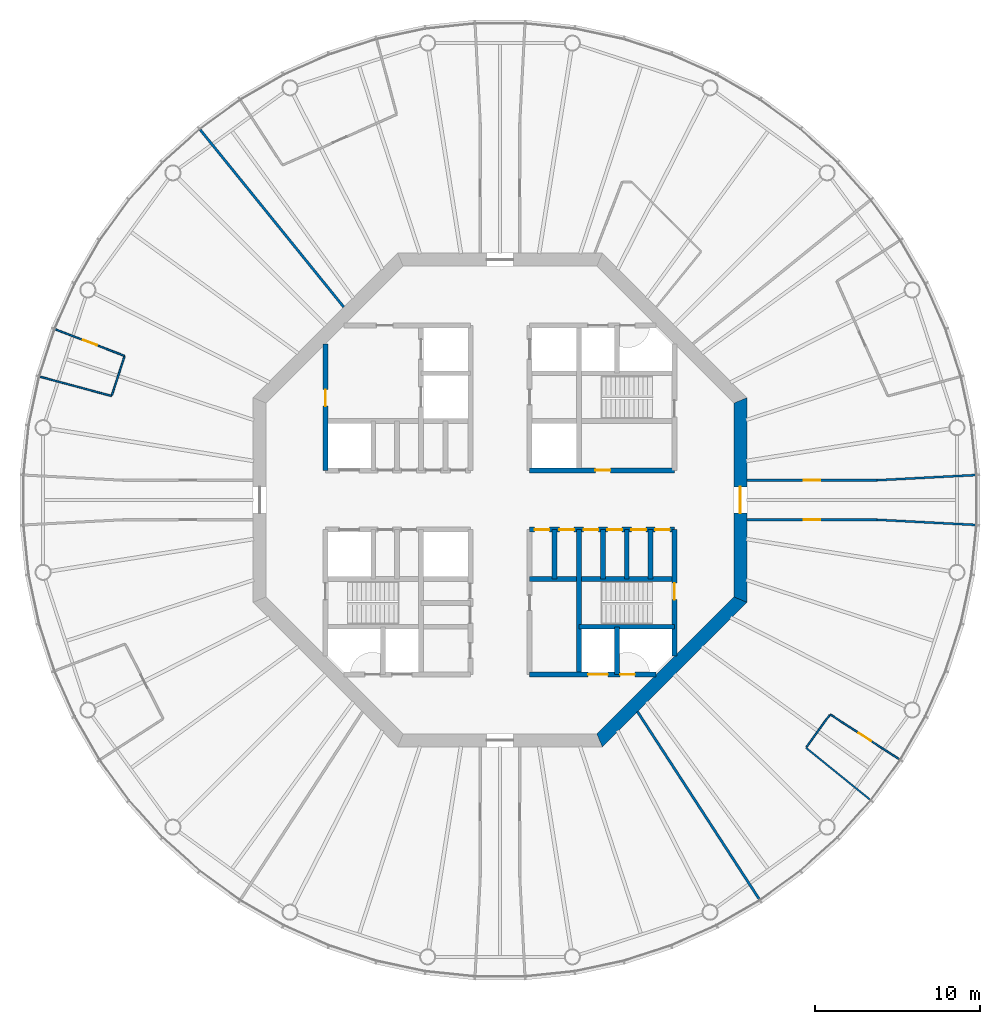
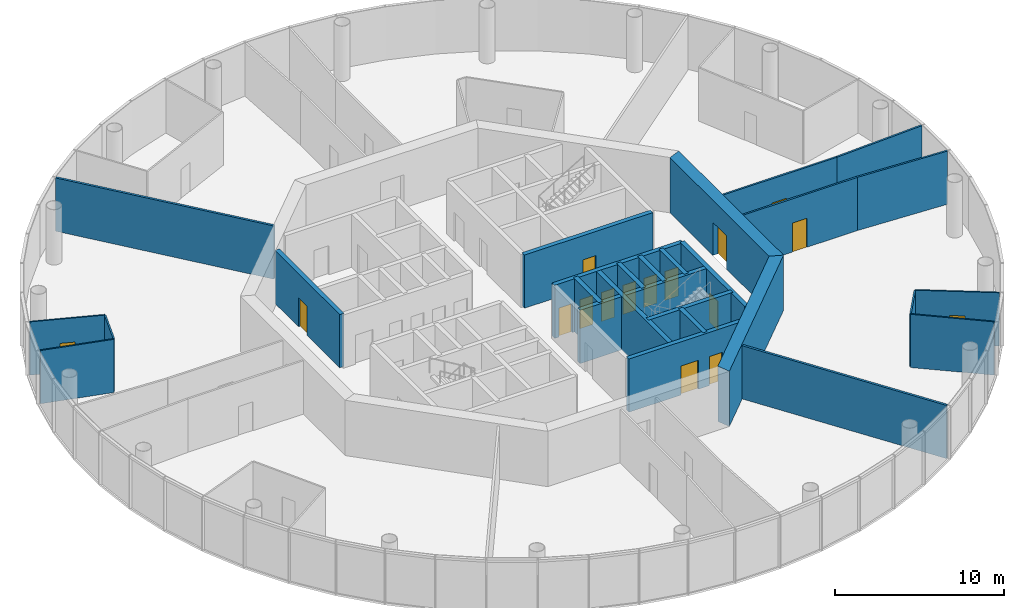
# One storey, part 4 of 13: 27 walls, 16 doors, 16 openings.
"""IFC4 building model written with IfcOpenShell, lengths in metres."""

import ifcopenshell
import ifcopenshell.guid

model = None  # the IFC model being written
_history = None  # IfcOwnerHistory: only IFC2X3 demands one
_inside = {}  # id of a spatial element -> (the spatial element, [elements in it])
_under = {}  # id of a project, library or spatial element -> (it, [spatial elements below it])
_declared = {}  # id of a project -> (the project, [libraries it declares])
_typed = {}  # id of a type object -> (the type object, [elements of that type])
_made_of = {}  # id of a material, layer set ... -> (it, [elements and type objects made of it])


def new_model(schema):
    """Start an empty IFC model of exactly this schema.

    Asked for "IFC4X3", IfcOpenShell would pick the latest addendum, in which some entities
    have other attributes; the version numbers below select the first issue.
    IFC2X3 requires an IfcOwnerHistory on every rooted entity: one is made here for all.
    """
    global model, _history
    if schema == "IFC4X3":
        model = ifcopenshell.file(schema_version=(4, 3, 0, 0))
    else:
        model = ifcopenshell.file(schema=schema)
    _inside.clear()
    _under.clear()
    _declared.clear()
    _typed.clear()
    _made_of.clear()
    _history = None
    if model.schema == "IFC2X3":
        org = make("IfcOrganization", Name="unknown")
        user = make(
            "IfcPersonAndOrganization",
            ThePerson=make("IfcPerson", FamilyName="unknown"),
            TheOrganization=org,
        )
        app = make(
            "IfcApplication",
            ApplicationDeveloper=org,
            Version="unknown",
            ApplicationFullName="unknown",
            ApplicationIdentifier="unknown",
        )
        _history = make(
            "IfcOwnerHistory",
            OwningUser=user,
            OwningApplication=app,
            ChangeAction="ADDED",
            CreationDate=0,
        )
    return model


def make(cls, **values):
    """One entity of the class cls with the attributes given. An attribute that is None is left unset."""
    return model.create_entity(
        cls, **{name: value for name, value in values.items() if value is not None}
    )


def rooted(cls, **values):
    """An entity with a GlobalId (a new one), such as an element, a storey or a relation."""
    return make(cls, GlobalId=ifcopenshell.guid.new(), OwnerHistory=_history, **values)


def si_unit(unit_type, name, prefix=None):
    """IfcSIUnit, for example si_unit("LENGTHUNIT", "METRE", prefix="MILLI")."""
    return make("IfcSIUnit", UnitType=unit_type, Prefix=prefix, Name=name)


def assignment(units):
    """IfcUnitAssignment: the units of a project."""
    return None if units is None else make("IfcUnitAssignment", Units=units)


def point(xyz):
    """IfcCartesianPoint."""
    return None if xyz is None else make("IfcCartesianPoint", Coordinates=xyz)


def direction(xyz):
    """IfcDirection."""
    return None if xyz is None else make("IfcDirection", DirectionRatios=xyz)


def frame(location, z_axis=None, x_axis=None):
    """IfcAxis2Placement3D, a coordinate frame: its origin and axes. An axis left out is left unset."""
    return make(
        "IfcAxis2Placement3D",
        Location=point(location),
        Axis=direction(z_axis),
        RefDirection=direction(x_axis),
    )


def frame_2d(location, x_axis=None):
    """IfcAxis2Placement2D, a coordinate frame in the plane: its origin and x axis."""
    return make(
        "IfcAxis2Placement2D", Location=point(location), RefDirection=direction(x_axis)
    )


def origin():
    """The frame at (0, 0, 0) with its axes left unset."""
    return frame((0.0, 0.0, 0.0))


def place(relative_to, where):
    """IfcLocalPlacement: puts the frame where relative to a parent placement (None: the world)."""
    return make(
        "IfcLocalPlacement", PlacementRelTo=relative_to, RelativePlacement=where
    )


def context(
    kind, dimensions, precision=None, world=None, true_north=None, identifier=None
):
    """IfcGeometricRepresentationContext, for example the 3D "Model" context."""
    return make(
        "IfcGeometricRepresentationContext",
        ContextIdentifier=identifier,
        ContextType=kind,
        CoordinateSpaceDimension=dimensions,
        Precision=precision,
        WorldCoordinateSystem=world,
        TrueNorth=true_north,
    )


def subcontext(parent, identifier, kind, view, scale=None):
    """IfcGeometricRepresentationSubContext, for example "Body" below "Model"."""
    return make(
        "IfcGeometricRepresentationSubContext",
        ContextIdentifier=identifier,
        ContextType=kind,
        ParentContext=parent,
        TargetScale=scale,
        TargetView=view,
    )


def project(units=None, contexts=None):
    """IfcProject with its units and contexts."""
    return rooted(
        "IfcProject",
        Name="project",
        RepresentationContexts=contexts,
        UnitsInContext=assignment(units),
    )


def spatial(cls, under=None, at=None, **own):
    """A site, building, storey or space (cls), placed at a placement, below another one or the project."""
    s = rooted(cls, ObjectPlacement=at, **own)
    if under is not None:
        _under.setdefault(under.id(), (under, []))[1].append(s)
    return s


def polyline(points):
    """IfcPolyline through the points."""
    return make("IfcPolyline", Points=[point(p) for p in points])


def profile(cls, at=None, kind="AREA", **sizes):
    """A parametric profile (cls). Its sizes go by their IFC names, for example OverallWidth=200.0."""
    return make(cls, ProfileType=kind, Position=at, **sizes)


def rectangle(**sizes):
    """IfcRectangleProfileDef."""
    return profile("IfcRectangleProfileDef", **sizes)


def outline(outer, holes=None, kind="AREA"):
    """IfcArbitraryClosedProfileDef: a profile drawn as a closed curve; with holes, ...WithVoids."""
    if holes is None:
        return make("IfcArbitraryClosedProfileDef", ProfileType=kind, OuterCurve=outer)
    return make(
        "IfcArbitraryProfileDefWithVoids",
        ProfileType=kind,
        OuterCurve=outer,
        InnerCurves=holes,
    )


def extrude(swept, where, along, depth):
    """IfcExtrudedAreaSolid: the profile swept, set in the frame where, extruded along a direction by depth."""
    return make(
        "IfcExtrudedAreaSolid",
        SweptArea=swept,
        Position=where,
        ExtrudedDirection=direction(along),
        Depth=depth,
    )


def shape(context_of_items, identifier, shape_type, items):
    """IfcShapeRepresentation: the items that make up one representation, for example the "Body"."""
    return make(
        "IfcShapeRepresentation",
        ContextOfItems=context_of_items,
        RepresentationIdentifier=identifier,
        RepresentationType=shape_type,
        Items=items,
    )


def material(Name=None, Category=None):
    """IfcMaterial."""
    return make("IfcMaterial", Name=Name, Category=Category)


def layer(
    of_material, thickness, ventilated=None, Name=None, Category=None, Priority=None
):
    """IfcMaterialLayer: one layer of a wall or slab, of a material (None: an air gap)."""
    return make(
        "IfcMaterialLayer",
        Material=of_material,
        LayerThickness=thickness,
        IsVentilated=ventilated,
        Name=Name,
        Category=Category,
        Priority=Priority,
    )


def layer_set(layers, Name=None):
    """IfcMaterialLayerSet."""
    return make("IfcMaterialLayerSet", MaterialLayers=layers, LayerSetName=Name)


def made_of(thing, what):
    """Note that an element or type object is made of a material, layer set ...; save() writes the relation."""
    if what is not None:
        _made_of.setdefault(what.id(), (what, []))[1].append(thing)
    return thing


def type_object(cls, material=None, **own):
    """A type object (cls), such as IfcWallType, which elements share."""
    return made_of(rooted(cls, **own), material)


def element(
    cls,
    number,
    at=None,
    inside=None,
    cuts=None,
    type_object=None,
    material=None,
    context=None,
    identifier="Body",
    shape_type=None,
    held_by="IfcProductDefinitionShape",
    body=None,
    shapes=None,
    **own,
):
    """One element of the class cls, such as IfcWall. Its Tag is "e" and its number.

    at: its placement. inside: the storey or other place that contains it. cuts: it is an
    opening in that element (IfcRelVoidsElement). A single representation is given by context,
    identifier, shape_type and body (its items); several are given by shapes. held_by: the class
    of the entity that holds the representations. save() writes the other relations.
    """
    e = rooted(cls, Tag="e%d" % number, ObjectPlacement=at, **own)
    if body is not None:
        shapes = [shape(context, identifier, shape_type, body)]
    if shapes is not None:
        e.Representation = make(held_by, Representations=shapes)
    if inside is not None:
        _inside.setdefault(inside.id(), (inside, []))[1].append(e)
    if cuts is not None:
        rooted(
            "IfcRelVoidsElement", RelatingBuildingElement=cuts, RelatedOpeningElement=e
        )
    if type_object is not None:
        _typed.setdefault(type_object.id(), (type_object, []))[1].append(e)
    return made_of(e, material)


def fill(opening, filler):
    """IfcRelFillsElement: the door or window that sits in an opening."""
    return rooted(
        "IfcRelFillsElement",
        RelatingOpeningElement=opening,
        RelatedBuildingElement=filler,
    )


def aggregate(whole, parts):
    """IfcRelAggregates: a whole, such as a stair, and the parts it consists of."""
    return rooted("IfcRelAggregates", RelatingObject=whole, RelatedObjects=parts)


def save(model, path):
    """Write the relations noted so far, then the file.

    IfcRelAggregates (storeys below a building ...), IfcRelContainedInSpatialStructure (elements
    in a storey), IfcRelDefinesByType, IfcRelAssociatesMaterial and IfcRelDeclares: one each for
    every whole, place, type object, material and project.
    """
    for whole, parts in _under.values():
        aggregate(whole, parts)
    for where, things in _inside.values():
        rooted(
            "IfcRelContainedInSpatialStructure",
            RelatedElements=things,
            RelatingStructure=where,
        )
    for kind, things in _typed.values():
        rooted("IfcRelDefinesByType", RelatedObjects=things, RelatingType=kind)
    for what, things in _made_of.values():
        rooted("IfcRelAssociatesMaterial", RelatedObjects=things, RelatingMaterial=what)
    for by, libraries in _declared.values():
        rooted("IfcRelDeclares", RelatingContext=by, RelatedDefinitions=libraries)
    model.write(path)


model = new_model("IFC4")

# Units and contexts
model_context = context("Model", 3, precision=1e-05, world=origin(), true_north=direction((0.0, 1.0)))
body_context = subcontext(model_context, "Body", "Model", "MODEL_VIEW")
ifc_project = project(units=[si_unit("LENGTHUNIT", "METRE"), si_unit("AREAUNIT", "SQUARE_METRE"), si_unit("VOLUMEUNIT", "CUBIC_METRE"), si_unit("PLANEANGLEUNIT", "RADIAN"), si_unit("MASSUNIT", "GRAM", prefix="KILO")], contexts=[model_context])

# Site, building, storey
site_placement = place(None, origin())
site = spatial("IfcSite", under=ifc_project, at=site_placement, CompositionType="ELEMENT")
building_placement = place(site_placement, origin())
building = spatial("IfcBuilding", under=site, at=building_placement, Name="Entoto Ring Tower", CompositionType="ELEMENT")
storey_placement = place(building_placement, frame((0.0, 0.0, 314.0)))
storey = spatial("IfcBuildingStorey", under=building, at=storey_placement, Name="L72", CompositionType="ELEMENT", Elevation=314.0)

# Wall, opening, door
ifc_material_1 = material(Name="Concrete C40/50", Category="concrete")
ifc_layer_1 = layer(ifc_material_1, 0.300048828125)
ifc_layer_set_1 = layer_set([ifc_layer_1], Name="Concrete C40/50")
wall_type_1 = type_object("IfcWallType", Name="Core enclosure wall 300 mm reinforced concrete", PredefinedType="SOLIDWALL", material=ifc_layer_set_1)
wall_1_placement = place(storey_placement, frame((100.60009765625, 70.518310546875, 0.0), z_axis=(0.0, 0.0, 1.0), x_axis=(0.0, 1.0, 0.0)))
wall_1 = element("IfcWall", 1, at=wall_1_placement, inside=storey, type_object=wall_type_1, Name="wall-L72-001", PredefinedType="SOLIDWALL", context=body_context, shape_type="SweptSolid", body=[
    extrude(rectangle(XDim=7.681640625, YDim=0.300048828125, at=frame_2d((3.8408203125, 0.0))), origin(), (0.0, 0.0, 1.0), 3.85009765625),
])
opening_1_placement = place(wall_1_placement, frame((3.431884765625, 0.0, 0.0)))
opening_1 = element("IfcOpeningElement", 2, at=opening_1_placement, cuts=wall_1, Name="Opening K-31", PredefinedType="OPENING", context=body_context, shape_type="SweptSolid", body=[
    extrude(rectangle(XDim=1.0, YDim=2.10009765625, at=frame_2d((0.5, 1.050048828125))), frame((0.0, 0.16015625, 0.0), z_axis=(0.0, -1.0, 0.0), x_axis=(1.0, 0.0, 0.0)), (0.0, 0.0, 1.0), 0.320068359375),
])
ifc_material_2 = material(Name="Steel door leaf, fire rated", Category="steel")
ifc_layer_2 = layer(ifc_material_2, 0.050048828125)
ifc_layer_set_2 = layer_set([ifc_layer_2], Name="Steel door leaf, fire rated")
door_type_1 = type_object("IfcDoorType", Name="Fire door FD60 1000 x 2100 single leaf", OperationType="NOTDEFINED", PredefinedType="DOOR", material=ifc_layer_set_2)
door_1_placement = place(opening_1_placement, origin())
door_1 = element("IfcDoor", 3, at=door_1_placement, inside=storey, type_object=door_type_1, Name="Door K-31", OperationType="SINGLE_SWING_RIGHT", OverallHeight=2.10009765625, OverallWidth=1.0, PredefinedType="DOOR", context=body_context, shape_type="SweptSolid", body=[
    extrude(rectangle(XDim=1.0, YDim=2.10009765625, at=frame_2d((0.5, 1.050048828125))), frame((0.0, 0.02490234375, 0.0), z_axis=(0.0, -1.0, 0.0), x_axis=(1.0, 0.0, 0.0)), (0.0, 0.0, 1.0), 0.050048828125),
])
fill(opening_1, door_1)

# Walls
for number, where, z_axis, x_axis, name in (
    (4, (99.14990234375, 75.199951171875, 0.0), (0.0, 0.0, 1.0), (0.0, 1.0, 0.0), "wall-L72-003"),
    (5, (97.699951171875, 75.199951171875, 0.0), (0.0, 0.0, 1.0), (0.0, 1.0, 0.0), "wall-L72-004"),
):
    element("IfcWall", number, at=place(storey_placement, frame(where, z_axis=z_axis, x_axis=x_axis)), inside=storey, type_object=wall_type_1, Name=name, PredefinedType="SOLIDWALL", context=body_context, shape_type="SweptSolid", body=[
        extrude(rectangle(XDim=3.0, YDim=0.300048828125, at=frame_2d((1.5, 0.0))), origin(), (0.0, 0.0, 1.0), 3.85009765625),
    ])
wall_2_placement = place(storey_placement, frame((97.10009765625, 69.39990234375, 0.0), z_axis=(0.0, 0.0, 1.0), x_axis=(0.0, 1.0, 0.0)))
element("IfcWall", 6, at=wall_2_placement, inside=storey, type_object=wall_type_1, Name="wall-L72-005", PredefinedType="SOLIDWALL", context=body_context, shape_type="SweptSolid", body=[
    extrude(rectangle(XDim=2.900146484375, YDim=0.300048828125, at=frame_2d((1.4501953125, 0.0))), origin(), (0.0, 0.0, 1.0), 3.85009765625),
])
wall_3_placement = place(storey_placement, frame((96.25, 75.199951171875, 0.0), z_axis=(0.0, 0.0, 1.0), x_axis=(0.0, 1.0, 0.0)))
element("IfcWall", 7, at=wall_3_placement, inside=storey, type_object=wall_type_1, Name="wall-L72-007", PredefinedType="SOLIDWALL", context=body_context, shape_type="SweptSolid", body=[
    extrude(rectangle(XDim=3.0, YDim=0.300048828125, at=frame_2d((1.5, 0.0))), origin(), (0.0, 0.0, 1.0), 3.85009765625),
])
wall_4_placement = place(storey_placement, frame((94.800048828125, 69.39990234375, 0.0), z_axis=(0.0, 0.0, 1.0), x_axis=(0.0, 1.0, 0.0)))
element("IfcWall", 8, at=wall_4_placement, inside=storey, type_object=wall_type_1, Name="wall-L72-008", PredefinedType="SOLIDWALL", context=body_context, shape_type="SweptSolid", body=[
    extrude(rectangle(XDim=8.800048828125, YDim=0.300048828125, at=frame_2d((4.39990234375, 0.0))), origin(), (0.0, 0.0, 1.0), 3.85009765625),
])
wall_5_placement = place(storey_placement, frame((93.300048828125, 75.199951171875, 0.0), z_axis=(0.0, 0.0, 1.0), x_axis=(0.0, 1.0, 0.0)))
element("IfcWall", 9, at=wall_5_placement, inside=storey, type_object=wall_type_1, Name="wall-L72-010", PredefinedType="SOLIDWALL", context=body_context, shape_type="SweptSolid", body=[
    extrude(rectangle(XDim=3.0, YDim=0.300048828125, at=frame_2d((1.5, 0.0))), origin(), (0.0, 0.0, 1.0), 3.85009765625),
])

# Wall, opening, door
wall_6_placement = place(storey_placement, frame((79.39990234375, 81.800048828125, 0.0), z_axis=(0.0, 0.0, 1.0), x_axis=(0.0, 1.0, 0.0)))
wall_6 = element("IfcWall", 10, at=wall_6_placement, inside=storey, type_object=wall_type_1, Name="wall-L72-024", PredefinedType="SOLIDWALL", context=body_context, shape_type="SweptSolid", body=[
    extrude(rectangle(XDim=7.681640625, YDim=0.300048828125, at=frame_2d((3.8408203125, 0.0))), origin(), (0.0, 0.0, 1.0), 3.85009765625),
])
opening_2_placement = place(wall_6_placement, frame((3.89990234375, 0.0, 0.0)))
opening_2 = element("IfcOpeningElement", 11, at=opening_2_placement, cuts=wall_6, Name="Opening K-35", PredefinedType="OPENING", context=body_context, shape_type="SweptSolid", body=[
    extrude(rectangle(XDim=1.0, YDim=2.10009765625, at=frame_2d((0.5, 1.050048828125))), frame((0.0, 0.16015625, 0.0), z_axis=(0.0, -1.0, 0.0), x_axis=(1.0, 0.0, 0.0)), (0.0, 0.0, 1.0), 0.320068359375),
])
door_2_placement = place(opening_2_placement, frame((1.0, 0.0, 0.0), z_axis=(0.0, 0.0, 1.0), x_axis=(-1.0, 0.0, 0.0)))
door_2 = element("IfcDoor", 12, at=door_2_placement, inside=storey, type_object=door_type_1, Name="Door K-35", OperationType="SINGLE_SWING_RIGHT", OverallHeight=2.10009765625, OverallWidth=1.0, PredefinedType="DOOR", context=body_context, shape_type="SweptSolid", body=[
    extrude(rectangle(XDim=1.0, YDim=2.10009765625, at=frame_2d((0.5, 1.050048828125))), frame((0.0, 0.02490234375, 0.0), z_axis=(0.0, -1.0, 0.0), x_axis=(1.0, 0.0, 0.0)), (0.0, 0.0, 1.0), 0.050048828125),
])
fill(opening_2, door_2)

# Wall, openings, doors
wall_7_placement = place(storey_placement, frame((91.800048828125, 69.39990234375, 0.0), z_axis=(0.0, 0.0, 1.0), x_axis=(1.0, 0.0, 0.0)))
wall_7 = element("IfcWall", 13, at=wall_7_placement, inside=storey, type_object=wall_type_1, Name="wall-L72-026", PredefinedType="SOLIDWALL", context=body_context, shape_type="SweptSolid", body=[
    extrude(rectangle(XDim=7.681640625, YDim=0.300048828125, at=frame_2d((3.8408203125, 0.0))), origin(), (0.0, 0.0, 1.0), 3.85009765625),
])
opening_3_placement = place(wall_7_placement, frame((3.550048828125, 0.0, 0.0)))
opening_3 = element("IfcOpeningElement", 14, at=opening_3_placement, cuts=wall_7, Name="Opening LD", PredefinedType="OPENING", context=body_context, shape_type="SweptSolid", body=[
    extrude(rectangle(XDim=1.199951171875, YDim=2.10009765625, at=frame_2d((0.60009765625, 1.050048828125))), frame((0.0, 0.16015625, 0.0), z_axis=(0.0, -1.0, 0.0), x_axis=(1.0, 0.0, 0.0)), (0.0, 0.0, 1.0), 0.320068359375),
])
opening_4_placement = place(wall_7_placement, frame((5.5, 0.0, 0.0)))
opening_4 = element("IfcOpeningElement", 15, at=opening_4_placement, cuts=wall_7, Name="Opening K-34", PredefinedType="OPENING", context=body_context, shape_type="SweptSolid", body=[
    extrude(rectangle(XDim=0.89990234375, YDim=2.10009765625, at=frame_2d((0.449951171875, 1.050048828125))), frame((0.0, 0.16015625, 0.0), z_axis=(0.0, -1.0, 0.0), x_axis=(1.0, 0.0, 0.0)), (0.0, 0.0, 1.0), 0.320068359375),
])
ifc_material_3 = material(Name="Steel and glass door leaf", Category="steel")
ifc_layer_3 = layer(ifc_material_3, 0.050048828125)
ifc_layer_set_3 = layer_set([ifc_layer_3], Name="Steel and glass door leaf")
door_type_2 = type_object("IfcDoorType", Name="Landing door 1200 x 2100 sliding", OperationType="DOUBLE_DOOR_SLIDING", PredefinedType="DOOR", material=ifc_layer_set_3)
door_3_placement = place(opening_3_placement, origin())
door_3 = element("IfcDoor", 16, at=door_3_placement, inside=storey, type_object=door_type_2, Name="Landing door LB2-HR", OperationType="SLIDING_TO_RIGHT", OverallHeight=2.10009765625, OverallWidth=1.199951171875, PredefinedType="DOOR", context=body_context, shape_type="SweptSolid", body=[
    extrude(rectangle(XDim=1.199951171875, YDim=2.10009765625, at=frame_2d((0.60009765625, 1.050048828125))), frame((0.0, 0.02490234375, 0.0), z_axis=(0.0, -1.0, 0.0), x_axis=(1.0, 0.0, 0.0)), (0.0, 0.0, 1.0), 0.050048828125),
])
fill(opening_3, door_3)
ifc_material_4 = material(Name="Steel door leaf, fire rated", Category="steel")
ifc_layer_4 = layer(ifc_material_4, 0.050048828125)
ifc_layer_set_4 = layer_set([ifc_layer_4], Name="Steel door leaf, fire rated")
door_type_3 = type_object("IfcDoorType", Name="Riser door FD60 900 x 2100 single leaf", OperationType="NOTDEFINED", PredefinedType="DOOR", material=ifc_layer_set_4)
door_4_placement = place(opening_4_placement, origin())
door_4 = element("IfcDoor", 17, at=door_4_placement, inside=storey, type_object=door_type_3, Name="Door K-34", OperationType="SINGLE_SWING_LEFT", OverallHeight=2.10009765625, OverallWidth=0.89990234375, PredefinedType="DOOR", context=body_context, shape_type="SweptSolid", body=[
    extrude(rectangle(XDim=0.89990234375, YDim=2.10009765625, at=frame_2d((0.449951171875, 1.050048828125))), frame((0.0, 0.02490234375, 0.0), z_axis=(0.0, -1.0, 0.0), x_axis=(1.0, 0.0, 0.0)), (0.0, 0.0, 1.0), 0.050048828125),
])
fill(opening_4, door_4)

# Walls
wall_8_placement = place(storey_placement, frame((94.800048828125, 72.300048828125, 0.0), z_axis=(0.0, 0.0, 1.0), x_axis=(1.0, 0.0, 0.0)))
element("IfcWall", 18, at=wall_8_placement, inside=storey, type_object=wall_type_1, Name="wall-L72-028", PredefinedType="SOLIDWALL", context=body_context, shape_type="SweptSolid", body=[
    extrude(rectangle(XDim=5.800048828125, YDim=0.300048828125, at=frame_2d((2.89990234375, 0.0))), origin(), (0.0, 0.0, 1.0), 3.85009765625),
])
wall_9_placement = place(storey_placement, frame((91.800048828125, 75.199951171875, 0.0), z_axis=(0.0, 0.0, 1.0), x_axis=(1.0, 0.0, 0.0)))
element("IfcWall", 19, at=wall_9_placement, inside=storey, type_object=wall_type_1, Name="wall-L72-031", PredefinedType="SOLIDWALL", context=body_context, shape_type="SweptSolid", body=[
    extrude(rectangle(XDim=8.800048828125, YDim=0.300048828125, at=frame_2d((4.39990234375, 0.0))), origin(), (0.0, 0.0, 1.0), 3.85009765625),
])

# Wall, openings, doors
wall_10_placement = place(storey_placement, frame((91.800048828125, 78.199951171875, 0.0), z_axis=(0.0, 0.0, 1.0), x_axis=(1.0, 0.0, 0.0)))
wall_10 = element("IfcWall", 20, at=wall_10_placement, inside=storey, type_object=wall_type_1, Name="wall-L72-033", PredefinedType="SOLIDWALL", context=body_context, shape_type="SweptSolid", body=[
    extrude(rectangle(XDim=8.800048828125, YDim=0.300048828125, at=frame_2d((4.39990234375, 0.0))), origin(), (0.0, 0.0, 1.0), 3.85009765625),
])
opening_5_placement = place(wall_10_placement, frame((3.27490234375, 0.0, 0.0)))
opening_5 = element("IfcOpeningElement", 21, at=opening_5_placement, cuts=wall_10, Name="Opening K-14", PredefinedType="OPENING", context=body_context, shape_type="SweptSolid", body=[
    extrude(rectangle(XDim=0.89990234375, YDim=2.10009765625, at=frame_2d((0.449951171875, 1.050048828125))), frame((0.0, 0.16015625, 0.0), z_axis=(0.0, -1.0, 0.0), x_axis=(1.0, 0.0, 0.0)), (0.0, 0.0, 1.0), 0.320068359375),
])
opening_6_placement = place(wall_10_placement, frame((4.72509765625, 0.0, 0.0)))
opening_6 = element("IfcOpeningElement", 22, at=opening_6_placement, cuts=wall_10, Name="Opening K-15", PredefinedType="OPENING", context=body_context, shape_type="SweptSolid", body=[
    extrude(rectangle(XDim=0.89990234375, YDim=2.10009765625, at=frame_2d((0.449951171875, 1.050048828125))), frame((0.0, 0.16015625, 0.0), z_axis=(0.0, -1.0, 0.0), x_axis=(1.0, 0.0, 0.0)), (0.0, 0.0, 1.0), 0.320068359375),
])
opening_7_placement = place(wall_10_placement, frame((6.175048828125, 0.0, 0.0)))
opening_7 = element("IfcOpeningElement", 23, at=opening_7_placement, cuts=wall_10, Name="Opening K-16", PredefinedType="OPENING", context=body_context, shape_type="SweptSolid", body=[
    extrude(rectangle(XDim=0.89990234375, YDim=2.10009765625, at=frame_2d((0.449951171875, 1.050048828125))), frame((0.0, 0.16015625, 0.0), z_axis=(0.0, -1.0, 0.0), x_axis=(1.0, 0.0, 0.0)), (0.0, 0.0, 1.0), 0.320068359375),
])
opening_8_placement = place(wall_10_placement, frame((7.625, 0.0, 0.0)))
opening_8 = element("IfcOpeningElement", 24, at=opening_8_placement, cuts=wall_10, Name="Opening K-57", PredefinedType="OPENING", context=body_context, shape_type="SweptSolid", body=[
    extrude(rectangle(XDim=0.89990234375, YDim=2.10009765625, at=frame_2d((0.449951171875, 1.050048828125))), frame((0.0, 0.16015625, 0.0), z_axis=(0.0, -1.0, 0.0), x_axis=(1.0, 0.0, 0.0)), (0.0, 0.0, 1.0), 0.320068359375),
])
opening_9_placement = place(wall_10_placement, frame((0.300048828125, 0.0, 0.0)))
opening_9 = element("IfcOpeningElement", 25, at=opening_9_placement, cuts=wall_10, Name="Opening K-79", PredefinedType="OPENING", context=body_context, shape_type="SweptSolid", body=[
    extrude(rectangle(XDim=0.89990234375, YDim=2.10009765625, at=frame_2d((0.449951171875, 1.050048828125))), frame((0.0, 0.16015625, 0.0), z_axis=(0.0, -1.0, 0.0), x_axis=(1.0, 0.0, 0.0)), (0.0, 0.0, 1.0), 0.320068359375),
])
opening_10_placement = place(wall_10_placement, frame((1.800048828125, 0.0, 0.0)))
opening_10 = element("IfcOpeningElement", 26, at=opening_10_placement, cuts=wall_10, Name="Opening K-81", PredefinedType="OPENING", context=body_context, shape_type="SweptSolid", body=[
    extrude(rectangle(XDim=0.89990234375, YDim=2.10009765625, at=frame_2d((0.449951171875, 1.050048828125))), frame((0.0, 0.16015625, 0.0), z_axis=(0.0, -1.0, 0.0), x_axis=(1.0, 0.0, 0.0)), (0.0, 0.0, 1.0), 0.320068359375),
])
ifc_material_5 = material(Name="Steel door leaf, fire rated", Category="steel")
ifc_layer_5 = layer(ifc_material_5, 0.050048828125)
ifc_layer_set_5 = layer_set([ifc_layer_5], Name="Steel door leaf, fire rated")
door_type_4 = type_object("IfcDoorType", Name="Core door 900 x 2100 single leaf", OperationType="NOTDEFINED", PredefinedType="DOOR", material=ifc_layer_set_5)
door_5_placement = place(opening_5_placement, frame((0.89990234375, 0.0, 0.0), z_axis=(0.0, 0.0, 1.0), x_axis=(-1.0, 0.0, 0.0)))
door_5 = element("IfcDoor", 27, at=door_5_placement, inside=storey, type_object=door_type_4, Name="Door K-14", OperationType="SINGLE_SWING_LEFT", OverallHeight=2.10009765625, OverallWidth=0.89990234375, PredefinedType="DOOR", context=body_context, shape_type="SweptSolid", body=[
    extrude(rectangle(XDim=0.89990234375, YDim=2.10009765625, at=frame_2d((0.449951171875, 1.050048828125))), frame((0.0, 0.02490234375, 0.0), z_axis=(0.0, -1.0, 0.0), x_axis=(1.0, 0.0, 0.0)), (0.0, 0.0, 1.0), 0.050048828125),
])
fill(opening_5, door_5)
door_6_placement = place(opening_6_placement, frame((0.89990234375, 0.0, 0.0), z_axis=(0.0, 0.0, 1.0), x_axis=(-1.0, 0.0, 0.0)))
door_6 = element("IfcDoor", 28, at=door_6_placement, inside=storey, type_object=door_type_4, Name="Door K-15", OperationType="SINGLE_SWING_RIGHT", OverallHeight=2.10009765625, OverallWidth=0.89990234375, PredefinedType="DOOR", context=body_context, shape_type="SweptSolid", body=[
    extrude(rectangle(XDim=0.89990234375, YDim=2.10009765625, at=frame_2d((0.449951171875, 1.050048828125))), frame((0.0, 0.02490234375, 0.0), z_axis=(0.0, -1.0, 0.0), x_axis=(1.0, 0.0, 0.0)), (0.0, 0.0, 1.0), 0.050048828125),
])
fill(opening_6, door_6)
door_7_placement = place(opening_7_placement, frame((0.89990234375, 0.0, 0.0), z_axis=(0.0, 0.0, 1.0), x_axis=(-1.0, 0.0, 0.0)))
door_7 = element("IfcDoor", 29, at=door_7_placement, inside=storey, type_object=door_type_4, Name="Door K-16", OperationType="SINGLE_SWING_RIGHT", OverallHeight=2.10009765625, OverallWidth=0.89990234375, PredefinedType="DOOR", context=body_context, shape_type="SweptSolid", body=[
    extrude(rectangle(XDim=0.89990234375, YDim=2.10009765625, at=frame_2d((0.449951171875, 1.050048828125))), frame((0.0, 0.02490234375, 0.0), z_axis=(0.0, -1.0, 0.0), x_axis=(1.0, 0.0, 0.0)), (0.0, 0.0, 1.0), 0.050048828125),
])
fill(opening_7, door_7)
door_8_placement = place(opening_8_placement, frame((0.89990234375, 0.0, 0.0), z_axis=(0.0, 0.0, 1.0), x_axis=(-1.0, 0.0, 0.0)))
door_8 = element("IfcDoor", 30, at=door_8_placement, inside=storey, type_object=door_type_4, Name="Door K-57", OperationType="SINGLE_SWING_RIGHT", OverallHeight=2.10009765625, OverallWidth=0.89990234375, PredefinedType="DOOR", context=body_context, shape_type="SweptSolid", body=[
    extrude(rectangle(XDim=0.89990234375, YDim=2.10009765625, at=frame_2d((0.449951171875, 1.050048828125))), frame((0.0, 0.02490234375, 0.0), z_axis=(0.0, -1.0, 0.0), x_axis=(1.0, 0.0, 0.0)), (0.0, 0.0, 1.0), 0.050048828125),
])
fill(opening_8, door_8)
door_9_placement = place(opening_9_placement, frame((0.89990234375, 0.0, 0.0), z_axis=(0.0, 0.0, 1.0), x_axis=(-1.0, 0.0, 0.0)))
door_9 = element("IfcDoor", 31, at=door_9_placement, inside=storey, type_object=door_type_4, Name="Door K-79", OperationType="SINGLE_SWING_RIGHT", OverallHeight=2.10009765625, OverallWidth=0.89990234375, PredefinedType="DOOR", context=body_context, shape_type="SweptSolid", body=[
    extrude(rectangle(XDim=0.89990234375, YDim=2.10009765625, at=frame_2d((0.449951171875, 1.050048828125))), frame((0.0, 0.02490234375, 0.0), z_axis=(0.0, -1.0, 0.0), x_axis=(1.0, 0.0, 0.0)), (0.0, 0.0, 1.0), 0.050048828125),
])
fill(opening_9, door_9)
door_10_placement = place(opening_10_placement, frame((0.89990234375, 0.0, 0.0), z_axis=(0.0, 0.0, 1.0), x_axis=(-1.0, 0.0, 0.0)))
door_10 = element("IfcDoor", 32, at=door_10_placement, inside=storey, type_object=door_type_4, Name="Door K-81", OperationType="SINGLE_SWING_RIGHT", OverallHeight=2.10009765625, OverallWidth=0.89990234375, PredefinedType="DOOR", context=body_context, shape_type="SweptSolid", body=[
    extrude(rectangle(XDim=0.89990234375, YDim=2.10009765625, at=frame_2d((0.449951171875, 1.050048828125))), frame((0.0, 0.02490234375, 0.0), z_axis=(0.0, -1.0, 0.0), x_axis=(1.0, 0.0, 0.0)), (0.0, 0.0, 1.0), 0.050048828125),
])
fill(opening_10, door_10)

# Wall, opening, door
wall_11_placement = place(storey_placement, frame((91.800048828125, 81.800048828125, 0.0), z_axis=(0.0, 0.0, 1.0), x_axis=(1.0, 0.0, 0.0)))
wall_11 = element("IfcWall", 33, at=wall_11_placement, inside=storey, type_object=wall_type_1, Name="wall-L72-035", PredefinedType="SOLIDWALL", context=body_context, shape_type="SweptSolid", body=[
    extrude(rectangle(XDim=8.800048828125, YDim=0.300048828125, at=frame_2d((4.39990234375, 0.0))), origin(), (0.0, 0.0, 1.0), 3.85009765625),
])
opening_11_placement = place(wall_11_placement, frame((4.0, 0.0, 0.0)))
opening_11 = element("IfcOpeningElement", 34, at=opening_11_placement, cuts=wall_11, Name="Opening K-11", PredefinedType="OPENING", context=body_context, shape_type="SweptSolid", body=[
    extrude(rectangle(XDim=0.89990234375, YDim=2.10009765625, at=frame_2d((0.449951171875, 1.050048828125))), frame((0.0, 0.16015625, 0.0), z_axis=(0.0, -1.0, 0.0), x_axis=(1.0, 0.0, 0.0)), (0.0, 0.0, 1.0), 0.320068359375),
])
door_11_placement = place(opening_11_placement, origin())
door_11 = element("IfcDoor", 35, at=door_11_placement, inside=storey, type_object=door_type_4, Name="Door K-11", OperationType="SINGLE_SWING_LEFT", OverallHeight=2.10009765625, OverallWidth=0.89990234375, PredefinedType="DOOR", context=body_context, shape_type="SweptSolid", body=[
    extrude(rectangle(XDim=0.89990234375, YDim=2.10009765625, at=frame_2d((0.449951171875, 1.050048828125))), frame((0.0, 0.02490234375, 0.0), z_axis=(0.0, -1.0, 0.0), x_axis=(1.0, 0.0, 0.0)), (0.0, 0.0, 1.0), 0.050048828125),
])
fill(opening_11, door_11)

ifc_material_6 = material(Name="Concrete C40/50", Category="concrete")
ifc_layer_6 = layer(ifc_material_6, 0.800048828125)
ifc_layer_set_6 = layer_set([ifc_layer_6], Name="Concrete C40/50")
wall_type_2 = type_object("IfcWallType", Name="Core shear wall 800 mm reinforced concrete C40/50", PredefinedType="SHEAR", material=ifc_layer_set_6)
wall_12_placement = place(storey_placement, frame((104.60009765625, 73.952392578125, 0.0), z_axis=(0.0, 0.0, 1.0), x_axis=(0.0, 1.0, 0.0)))
wall_12 = element("IfcWall", 36, at=wall_12_placement, inside=storey, type_object=wall_type_2, Name="wall-L72-core-0", PredefinedType="SHEAR", context=body_context, shape_type="SweptSolid", body=[
    extrude(outline(polyline([(-0.165771484375, -0.39990234375), (12.260986328125, -0.39990234375), (11.929443359375, 0.39990234375), (0.165771484375, 0.39990234375), (-0.165771484375, -0.39990234375)])), origin(), (0.0, 0.0, 1.0), 4.0),
])
opening_12_placement = place(wall_12_placement, frame((5.24755859375, 0.0, 0.0)))
opening_12 = element("IfcOpeningElement", 37, at=opening_12_placement, cuts=wall_12, Name="Opening K-01", PredefinedType="OPENING", context=body_context, shape_type="SweptSolid", body=[
    extrude(rectangle(XDim=1.60009765625, YDim=2.39990234375, at=frame_2d((0.800048828125, 1.199951171875))), frame((0.0, 0.41015625, 0.0), z_axis=(0.0, -1.0, 0.0), x_axis=(1.0, 0.0, 0.0)), (0.0, 0.0, 1.0), 0.820068359375),
])
ifc_material_7 = material(Name="Steel door leaf, fire rated", Category="steel")
ifc_layer_7 = layer(ifc_material_7, 0.050048828125)
ifc_layer_set_7 = layer_set([ifc_layer_7], Name="Steel door leaf, fire rated")
door_type_5 = type_object("IfcDoorType", Name="Entrance door FD60 1600 x 2400 double leaf", OperationType="DOUBLE_DOOR_SINGLE_SWING", PredefinedType="DOOR", material=ifc_layer_set_7)
door_12_placement = place(opening_12_placement, origin())
door_12 = element("IfcDoor", 38, at=door_12_placement, inside=storey, type_object=door_type_5, Name="Entrance door K-01", OperationType="DOUBLE_DOOR_SINGLE_SWING", OverallHeight=2.39990234375, OverallWidth=1.60009765625, PredefinedType="DOOR", context=body_context, shape_type="SweptSolid", body=[
    extrude(rectangle(XDim=1.60009765625, YDim=2.39990234375, at=frame_2d((0.800048828125, 1.199951171875))), frame((0.0, 0.02490234375, 0.0), z_axis=(0.0, -1.0, 0.0), x_axis=(1.0, 0.0, 0.0)), (0.0, 0.0, 1.0), 0.050048828125),
])
fill(opening_12, door_12)

# Wall
wall_13_placement = place(storey_placement, frame((96.047607421875, 65.39990234375, 0.0), z_axis=(0.0, 0.0, 1.0), x_axis=(0.707106781187, 0.707106781187, 0.0)))
element("IfcWall", 39, at=wall_13_placement, inside=storey, type_object=wall_type_2, Name="wall-L72-core-7", PredefinedType="SHEAR", context=body_context, shape_type="SweptSolid", body=[
    extrude(outline(polyline([(-0.165771484375, -0.39990234375), (12.2607421875, -0.39990234375), (11.92919921875, 0.39990234375), (0.165771484375, 0.39990234375), (-0.165771484375, -0.39990234375)])), origin(), (0.0, 0.0, 1.0), 4.0),
])

# Wall, opening, door
ifc_material_8 = material(Name="Fire-resisting plasterboard on steel studs", Category="steel")
ifc_layer_8 = layer(ifc_material_8, 0.125)
ifc_layer_set_8 = layer_set([ifc_layer_8], Name="Fire-resisting plasterboard on steel studs")
wall_type_3 = type_object("IfcWallType", Name="Corridor wall 125 mm one-hour plasterboard on steel studs", PredefinedType="PARTITIONING", material=ifc_layer_set_8)
wall_14_placement = place(storey_placement, frame((105.0, 78.800048828125, 0.0), z_axis=(0.0, 0.0, 1.0), x_axis=(1.0, 0.0, 0.0)))
wall_14 = element("IfcWall", 40, at=wall_14_placement, inside=storey, type_object=wall_type_3, Name="partition-L72-007", PredefinedType="PARTITIONING", context=body_context, shape_type="SweptSolid", body=[
    extrude(rectangle(XDim=7.8974609375, YDim=0.125, at=frame_2d((3.94873046875, 0.0))), origin(), (0.0, 0.0, 1.0), 3.85009765625),
])
opening_13_placement = place(wall_14_placement, frame((3.44873046875, 0.0, 0.0)))
opening_13 = element("IfcOpeningElement", 41, at=opening_13_placement, cuts=wall_14, Name="Opening A31-D13", PredefinedType="OPENING", context=body_context, shape_type="SweptSolid", body=[
    extrude(rectangle(XDim=1.0, YDim=2.10009765625, at=frame_2d((0.5, 1.050048828125))), frame((0.0, 0.072509765625, 0.0), z_axis=(0.0, -1.0, 0.0), x_axis=(1.0, 0.0, 0.0)), (0.0, 0.0, 1.0), 0.14501953125),
])
ifc_material_9 = material(Name="Fire-resisting timber door set", Category="wood")
door_type_6 = type_object("IfcDoorType", Name="Door 1000 x 2100 single leaf FD30S fire door", OperationType="NOTDEFINED", PredefinedType="DOOR", material=ifc_material_9)
door_13_placement = place(opening_13_placement, frame((1.0, 0.0, 0.0), z_axis=(0.0, 0.0, 1.0), x_axis=(-1.0, 0.0, 0.0)))
door_13 = element("IfcDoor", 42, at=door_13_placement, inside=storey, type_object=door_type_6, Name="Door A31-D13", OperationType="SINGLE_SWING_RIGHT", OverallHeight=2.10009765625, OverallWidth=1.0, PredefinedType="DOOR", context=body_context, shape_type="SweptSolid", body=[
    extrude(rectangle(XDim=1.0, YDim=2.10009765625, at=frame_2d((0.5, 1.050048828125))), frame((0.0, 0.02490234375, 0.0), z_axis=(0.0, -1.0, 0.0), x_axis=(1.0, 0.0, 0.0)), (0.0, 0.0, 1.0), 0.050048828125),
])
fill(opening_13, door_13)

wall_15_placement = place(storey_placement, frame((105.0, 81.199951171875, 0.0), z_axis=(0.0, 0.0, 1.0), x_axis=(1.0, 0.0, 0.0)))
wall_15 = element("IfcWall", 43, at=wall_15_placement, inside=storey, type_object=wall_type_3, Name="partition-L72-008", PredefinedType="PARTITIONING", context=body_context, shape_type="SweptSolid", body=[
    extrude(rectangle(XDim=7.8974609375, YDim=0.125, at=frame_2d((3.94873046875, 0.0))), origin(), (0.0, 0.0, 1.0), 3.85009765625),
])
opening_14_placement = place(wall_15_placement, frame((3.44873046875, 0.0, 0.0)))
opening_14 = element("IfcOpeningElement", 44, at=opening_14_placement, cuts=wall_15, Name="Opening A31-D01", PredefinedType="OPENING", context=body_context, shape_type="SweptSolid", body=[
    extrude(rectangle(XDim=1.0, YDim=2.10009765625, at=frame_2d((0.5, 1.050048828125))), frame((0.0, 0.072509765625, 0.0), z_axis=(0.0, -1.0, 0.0), x_axis=(1.0, 0.0, 0.0)), (0.0, 0.0, 1.0), 0.14501953125),
])
door_14_placement = place(opening_14_placement, origin())
door_14 = element("IfcDoor", 45, at=door_14_placement, inside=storey, type_object=door_type_6, Name="Door A31-D01", OperationType="SINGLE_SWING_LEFT", OverallHeight=2.10009765625, OverallWidth=1.0, PredefinedType="DOOR", context=body_context, shape_type="SweptSolid", body=[
    extrude(rectangle(XDim=1.0, YDim=2.10009765625, at=frame_2d((0.5, 1.050048828125))), frame((0.0, 0.02490234375, 0.0), z_axis=(0.0, -1.0, 0.0), x_axis=(1.0, 0.0, 0.0)), (0.0, 0.0, 1.0), 0.050048828125),
])
fill(opening_14, door_14)

# Walls
for number, where, z_axis, x_axis, name in (
    (46, (112.900634765625, 81.2001953125, 0.0), (0.0, 0.0, 1.0), (0.998629367342, 0.052339150565, 0.0), "partition-L72-015"),
    (47, (118.900390625, 78.4853515625, 0.0), (0.0, 0.0, 1.0), (-0.998629367342, 0.052339150565, 0.0), "partition-L72-016"),
):
    element("IfcWall", number, at=place(storey_placement, frame(where, z_axis=z_axis, x_axis=x_axis)), inside=storey, type_object=wall_type_3, Name=name, PredefinedType="PARTITIONING", context=body_context, shape_type="SweptSolid", body=[
        extrude(rectangle(XDim=6.008056640625, YDim=0.125, at=frame_2d((3.00390625, 0.0))), origin(), (0.0, 0.0, 1.0), 3.85009765625),
    ])

# Wall, opening, door
ifc_material_10 = material(Name="Plasterboard on steel studs", Category="steel")
ifc_layer_9 = layer(ifc_material_10, 0.10009765625)
ifc_layer_set_9 = layer_set([ifc_layer_9], Name="Plasterboard on steel studs")
wall_type_4 = type_object("IfcWallType", Name="Partition 100 mm plasterboard on steel studs", PredefinedType="PARTITIONING", material=ifc_layer_set_9)
wall_16_placement = place(storey_placement, frame((114.27099609375, 64.238037109375, 0.0), z_axis=(0.0, 0.0, 1.0), x_axis=(-0.83865092054, 0.544669288171, 0.0)))
wall_16 = element("IfcWall", 48, at=wall_16_placement, inside=storey, type_object=wall_type_4, Name="partition-L72-025", PredefinedType="PARTITIONING", context=body_context, shape_type="SweptSolid", body=[
    extrude(rectangle(XDim=5.030029296875, YDim=0.10009765625, at=frame_2d((2.51513671875, 0.0))), origin(), (0.0, 0.0, 1.0), 3.85009765625),
])
opening_15_placement = place(wall_16_placement, frame((2.06494140625, 0.0, 0.0)))
opening_15 = element("IfcOpeningElement", 49, at=opening_15_placement, cuts=wall_16, Name="Opening A31-D14", PredefinedType="OPENING", context=body_context, shape_type="SweptSolid", body=[
    extrude(rectangle(XDim=0.89990234375, YDim=2.10009765625, at=frame_2d((0.449951171875, 1.050048828125))), frame((0.0, 0.06005859375, 0.0), z_axis=(0.0, -1.0, 0.0), x_axis=(1.0, 0.0, 0.0)), (0.0, 0.0, 1.0), 0.1201171875),
])
ifc_material_11 = material(Name="Veneered timber door leaf in timber frame", Category="wood")
door_type_7 = type_object("IfcDoorType", Name="Door 900 x 2100 single leaf timber veneer", OperationType="NOTDEFINED", PredefinedType="DOOR", material=ifc_material_11)
door_15_placement = place(opening_15_placement, origin())
door_15 = element("IfcDoor", 50, at=door_15_placement, inside=storey, type_object=door_type_7, Name="Door A31-D14", OperationType="SINGLE_SWING_LEFT", OverallHeight=2.10009765625, OverallWidth=0.89990234375, PredefinedType="DOOR", context=body_context, shape_type="SweptSolid", body=[
    extrude(rectangle(XDim=0.89990234375, YDim=2.10009765625, at=frame_2d((0.449951171875, 1.050048828125))), frame((0.0, 0.02490234375, 0.0), z_axis=(0.0, -1.0, 0.0), x_axis=(1.0, 0.0, 0.0)), (0.0, 0.0, 1.0), 0.050048828125),
])
fill(opening_15, door_15)

# Wall
wall_17_placement = place(storey_placement, frame((112.490478515625, 61.78759765625, 0.0), z_axis=(0.0, 0.0, 1.0), x_axis=(-0.777156695115, 0.629307135855, 0.0)))
element("IfcWall", 51, at=wall_17_placement, inside=storey, type_object=wall_type_4, Name="partition-L72-026", PredefinedType="PARTITIONING", context=body_context, shape_type="SweptSolid", body=[
    extrude(rectangle(XDim=5.02978515625, YDim=0.10009765625, at=frame_2d((2.514892578125, 0.0))), origin(), (0.0, 0.0, 1.0), 3.85009765625),
])

# Wall, opening, door
wall_18_placement = place(storey_placement, frame((67.201904296875, 88.751220703125, 0.0), z_axis=(0.0, 0.0, 1.0), x_axis=(-0.933575113142, 0.358381791003, 0.0)))
wall_18 = element("IfcWall", 52, at=wall_18_placement, inside=storey, type_object=wall_type_4, Name="partition-L72-034", PredefinedType="PARTITIONING", context=body_context, shape_type="SweptSolid", body=[
    extrude(rectangle(XDim=4.52001953125, YDim=0.10009765625, at=frame_2d((2.260009765625, 0.0))), origin(), (0.0, 0.0, 1.0), 3.85009765625),
])
opening_16_placement = place(wall_18_placement, frame((1.81005859375, 0.0, 0.0)))
opening_16 = element("IfcOpeningElement", 53, at=opening_16_placement, cuts=wall_18, Name="Opening A31-D08", PredefinedType="OPENING", context=body_context, shape_type="SweptSolid", body=[
    extrude(rectangle(XDim=0.89990234375, YDim=2.10009765625, at=frame_2d((0.449951171875, 1.050048828125))), frame((0.0, 0.06005859375, 0.0), z_axis=(0.0, -1.0, 0.0), x_axis=(1.0, 0.0, 0.0)), (0.0, 0.0, 1.0), 0.1201171875),
])
door_16_placement = place(opening_16_placement, origin())
door_16 = element("IfcDoor", 54, at=door_16_placement, inside=storey, type_object=door_type_7, Name="Door A31-D08", OperationType="SINGLE_SWING_RIGHT", OverallHeight=2.10009765625, OverallWidth=0.89990234375, PredefinedType="DOOR", context=body_context, shape_type="SweptSolid", body=[
    extrude(rectangle(XDim=0.89990234375, YDim=2.10009765625, at=frame_2d((0.449951171875, 1.050048828125))), frame((0.0, 0.02490234375, 0.0), z_axis=(0.0, -1.0, 0.0), x_axis=(1.0, 0.0, 0.0)), (0.0, 0.0, 1.0), 0.050048828125),
])
fill(opening_16, door_16)

# Walls
wall_19_placement = place(storey_placement, frame((66.412109375, 86.3203125, 0.0), z_axis=(0.0, 0.0, 1.0), x_axis=(-0.96592225332, 0.258832379238, 0.0)))
element("IfcWall", 55, at=wall_19_placement, inside=storey, type_object=wall_type_4, Name="partition-L72-035", PredefinedType="PARTITIONING", context=body_context, shape_type="SweptSolid", body=[
    extrude(rectangle(XDim=4.52001953125, YDim=0.10009765625, at=frame_2d((2.260009765625, 0.0))), origin(), (0.0, 0.0, 1.0), 3.85009765625),
])
wall_20_placement = place(storey_placement, frame((66.427490234375, 86.367919921875, 0.0), z_axis=(0.0, 0.0, 1.0), x_axis=(0.309032129931, 0.951051598322, 0.0)))
element("IfcWall", 56, at=wall_20_placement, inside=storey, type_object=wall_type_4, Name="partition-L72-037", PredefinedType="PARTITIONING", context=body_context, shape_type="SweptSolid", body=[
    extrude(rectangle(XDim=2.4560546875, YDim=0.10009765625, at=frame_2d((1.22802734375, 0.0))), origin(), (0.0, 0.0, 1.0), 3.85009765625),
])
wall_21_placement = place(storey_placement, frame((108.61083984375, 64.993408203125, 0.0), z_axis=(0.0, 0.0, 1.0), x_axis=(0.587803101129, 0.809004026135, 0.0)))
element("IfcWall", 57, at=wall_21_placement, inside=storey, type_object=wall_type_4, Name="partition-L72-038", PredefinedType="PARTITIONING", context=body_context, shape_type="SweptSolid", body=[
    extrude(rectangle(XDim=2.40283203125, YDim=0.10009765625, at=frame_2d((1.201416015625, 0.0))), origin(), (0.0, 0.0, 1.0), 3.85009765625),
])
ifc_material_12 = material(Name="Fire-resisting acoustic plasterboard on steel studs", Category="steel")
ifc_layer_10 = layer(ifc_material_12, 0.14990234375)
ifc_layer_set_10 = layer_set([ifc_layer_10], Name="Fire-resisting acoustic plasterboard on steel studs")
wall_type_5 = type_object("IfcWallType", Name="Party wall 150 mm one-hour acoustic plasterboard on steel studs", PredefinedType="PARTITIONING", material=ifc_layer_set_10)
wall_22_placement = place(storey_placement, frame((80.50830078125, 91.721435546875, 0.0), z_axis=(0.0, 0.0, 1.0), x_axis=(-0.629324927109, 0.777142288207, 0.0)))
element("IfcWall", 58, at=wall_22_placement, inside=storey, type_object=wall_type_5, Name="partition-L72-017", PredefinedType="PARTITIONING", context=body_context, shape_type="SweptSolid", body=[
    extrude(rectangle(XDim=13.857177734375, YDim=0.14990234375, at=frame_2d((6.9287109375, 0.0))), origin(), (0.0, 0.0, 1.0), 3.85009765625),
])
wall_23_placement = place(storey_placement, frame((105.761962890625, 55.72900390625, 0.0), z_axis=(0.0, 0.0, 1.0), x_axis=(-0.544650850813, 0.838662894558, 0.0)))
element("IfcWall", 59, at=wall_23_placement, inside=storey, type_object=wall_type_5, Name="partition-L72-020", PredefinedType="PARTITIONING", context=body_context, shape_type="SweptSolid", body=[
    extrude(rectangle(XDim=13.60498046875, YDim=0.14990234375, at=frame_2d((6.802490234375, 0.0))), origin(), (0.0, 0.0, 1.0), 3.85009765625),
])

save(model, "model.ifc")
